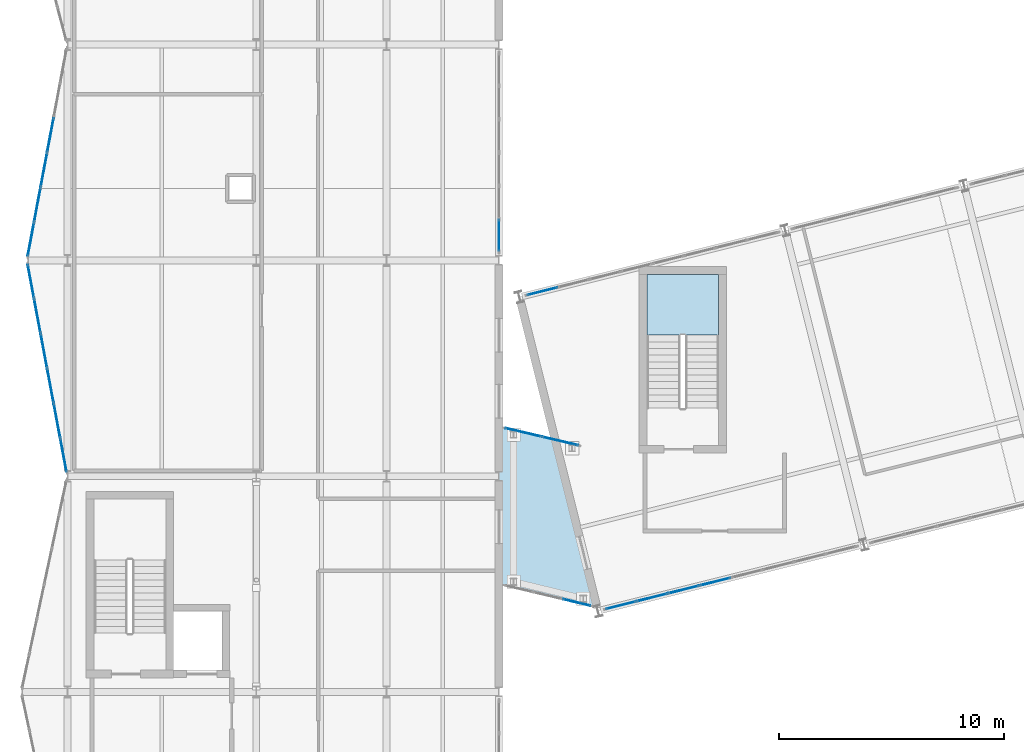
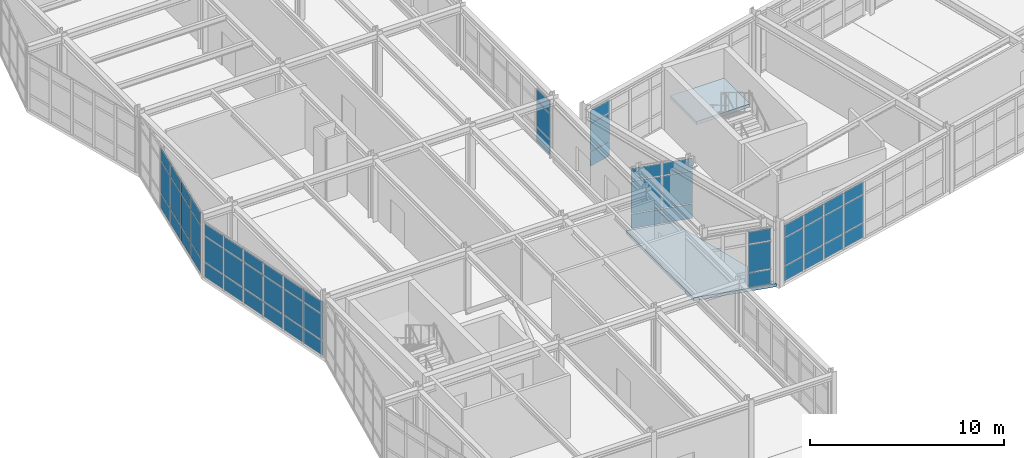
# One storey, part 48 of 88: 57 plates, 2 slabs, 8 elements without a shape of their own.
"""IFC4 building model written with IfcOpenShell, lengths in metres."""

from ifc_helpers import new_model, si_unit, direction, frame, origin, origin_2d, place, context, subcontext, project, spatial, polyline, rectangle, outline, extrude, material, layer, layer_set, type_object, element, aggregate, save


model = new_model("IFC4")

# Units and contexts
model_context = context("Model", 3, precision=1e-05, world=origin(), true_north=direction((0.0, 1.0)))
body_context = subcontext(model_context, "Body", "Model", "MODEL_VIEW")
ifc_project = project(units=[si_unit("LENGTHUNIT", "METRE"), si_unit("AREAUNIT", "SQUARE_METRE"), si_unit("VOLUMEUNIT", "CUBIC_METRE"), si_unit("PLANEANGLEUNIT", "RADIAN"), si_unit("MASSUNIT", "GRAM", prefix="KILO")], contexts=[model_context])

# Site, building, storey
site_placement = place(None, origin())
site = spatial("IfcSite", under=ifc_project, at=site_placement, CompositionType="ELEMENT")
building_placement = place(site_placement, origin())
building = spatial("IfcBuilding", under=site, at=building_placement, Name="Nordkorset Police Headquarters", CompositionType="ELEMENT")
storey_placement = place(building_placement, frame((0.0, 0.0, 9.449951171875)))
storey = spatial("IfcBuildingStorey", under=building, at=storey_placement, Name="L02", CompositionType="ELEMENT", Elevation=9.449951171875)

# Curtain wall, plates
ifc_material_1 = material(Name="Aluminium alloy AW-6060", Category="aluminium")
ifc_layer_1 = layer(ifc_material_1, 0.179931640625, Name="Aluminium alloy AW-6060")
ifc_layer_set_1 = layer_set([ifc_layer_1], Name="Aluminium alloy AW-6060")
curtain_wall_type_1 = type_object("IfcCurtainWallType", Name="CW_Unit_949x351", PredefinedType="USERDEFINED", material=ifc_layer_set_1)
curtain_wall_1_placement = place(storey_placement, origin())
curtain_wall_1 = element("IfcCurtainWall", 1, at=curtain_wall_1_placement, inside=storey, type_object=curtain_wall_type_1, Name="Unitised Curtain Wall L02 V3W-2", ObjectType="UNITISED CURTAIN WALL", PredefinedType="USERDEFINED")
ifc_material_2 = material(Name="Low-iron triple glazing", Category="glass")
ifc_layer_2 = layer(ifc_material_2, 0.035888671875, Name="Low-iron triple glazing")
ifc_layer_set_2 = layer_set([ifc_layer_2], Name="Low-iron triple glazing")
plate_type = type_object("IfcPlateType", Name="CW_Panel_TripleGlazing_36", PredefinedType="CURTAIN_PANEL", material=ifc_layer_set_2)
plate_1_placement = place(storey_placement, frame((-0.174560546875, 48.9306640625, 0.06494140625), z_axis=(0.0, 0.0, 1.0), x_axis=(-0.184288535048, 0.982872186935, 0.0)))
plate_1 = element("IfcPlate", 2, at=plate_1_placement, type_object=plate_type, Name="CW-32 panel 1.1", PredefinedType="CURTAIN_PANEL", context=body_context, shape_type="SweptSolid", body=[
    extrude(rectangle(XDim=1.483642578125, YDim=0.035888671875, at=origin_2d()), origin(), (0.0, 0.0, 1.0), 0.902587890625),
])
plate_2_placement = place(storey_placement, frame((-0.174560546875, 48.9306640625, 1.03271484375), z_axis=(0.0, 0.0, 1.0), x_axis=(-0.184288535048, 0.982872186935, 0.0)))
plate_2 = element("IfcPlate", 3, at=plate_2_placement, type_object=plate_type, Name="CW-32 panel 1.2", PredefinedType="CURTAIN_PANEL", context=body_context, shape_type="SweptSolid", body=[
    extrude(rectangle(XDim=1.483642578125, YDim=0.035888671875, at=origin_2d()), origin(), (0.0, 0.0, 1.0), 1.594970703125),
])
plate_3_placement = place(storey_placement, frame((-0.174560546875, 48.9306640625, 2.692626953125), z_axis=(0.0, 0.0, 1.0), x_axis=(-0.184288535048, 0.982872186935, 0.0)))
plate_3 = element("IfcPlate", 4, at=plate_3_placement, type_object=plate_type, Name="CW-32 panel 1.3", PredefinedType="CURTAIN_PANEL", context=body_context, shape_type="SweptSolid", body=[
    extrude(rectangle(XDim=1.483642578125, YDim=0.035888671875, at=origin_2d()), origin(), (0.0, 0.0, 1.0), 0.75244140625),
])
plate_4_placement = place(storey_placement, frame((-0.462890625, 50.46875, 0.06494140625), z_axis=(0.0, 0.0, 1.0), x_axis=(-0.184288535048, 0.982872186935, 0.0)))
plate_4 = element("IfcPlate", 5, at=plate_4_placement, type_object=plate_type, Name="CW-32 panel 2.1", PredefinedType="CURTAIN_PANEL", context=body_context, shape_type="SweptSolid", body=[
    extrude(rectangle(XDim=1.51611328125, YDim=0.035888671875, at=origin_2d()), origin(), (0.0, 0.0, 1.0), 0.902587890625),
])
plate_5_placement = place(storey_placement, frame((-0.462890625, 50.46875, 1.03271484375), z_axis=(0.0, 0.0, 1.0), x_axis=(-0.184288535048, 0.982872186935, 0.0)))
plate_5 = element("IfcPlate", 6, at=plate_5_placement, type_object=plate_type, Name="CW-32 panel 2.2", PredefinedType="CURTAIN_PANEL", context=body_context, shape_type="SweptSolid", body=[
    extrude(rectangle(XDim=1.51611328125, YDim=0.035888671875, at=origin_2d()), origin(), (0.0, 0.0, 1.0), 1.594970703125),
])
plate_6_placement = place(storey_placement, frame((-0.462890625, 50.46875, 2.692626953125), z_axis=(0.0, 0.0, 1.0), x_axis=(-0.184288535048, 0.982872186935, 0.0)))
plate_6 = element("IfcPlate", 7, at=plate_6_placement, type_object=plate_type, Name="CW-32 panel 2.3", PredefinedType="CURTAIN_PANEL", context=body_context, shape_type="SweptSolid", body=[
    extrude(rectangle(XDim=1.51611328125, YDim=0.035888671875, at=origin_2d()), origin(), (0.0, 0.0, 1.0), 0.75244140625),
])
plate_7_placement = place(storey_placement, frame((-0.75439453125, 52.02294921875, 0.06494140625), z_axis=(0.0, 0.0, 1.0), x_axis=(-0.184288535048, 0.982872186935, 0.0)))
plate_7 = element("IfcPlate", 8, at=plate_7_placement, type_object=plate_type, Name="CW-32 panel 3.1", PredefinedType="CURTAIN_PANEL", context=body_context, shape_type="SweptSolid", body=[
    extrude(rectangle(XDim=1.51611328125, YDim=0.035888671875, at=origin_2d()), origin(), (0.0, 0.0, 1.0), 0.902587890625),
])
plate_8_placement = place(storey_placement, frame((-0.75439453125, 52.02294921875, 1.03271484375), z_axis=(0.0, 0.0, 1.0), x_axis=(-0.184288535048, 0.982872186935, 0.0)))
plate_8 = element("IfcPlate", 9, at=plate_8_placement, type_object=plate_type, Name="CW-32 panel 3.2", PredefinedType="CURTAIN_PANEL", context=body_context, shape_type="SweptSolid", body=[
    extrude(rectangle(XDim=1.51611328125, YDim=0.035888671875, at=origin_2d()), origin(), (0.0, 0.0, 1.0), 1.594970703125),
])
plate_9_placement = place(storey_placement, frame((-0.75439453125, 52.02294921875, 2.692626953125), z_axis=(0.0, 0.0, 1.0), x_axis=(-0.184288535048, 0.982872186935, 0.0)))
plate_9 = element("IfcPlate", 10, at=plate_9_placement, type_object=plate_type, Name="CW-32 panel 3.3", PredefinedType="CURTAIN_PANEL", context=body_context, shape_type="SweptSolid", body=[
    extrude(rectangle(XDim=1.51611328125, YDim=0.035888671875, at=origin_2d()), origin(), (0.0, 0.0, 1.0), 0.75244140625),
])
plate_10_placement = place(storey_placement, frame((-1.045654296875, 53.5771484375, 0.06494140625), z_axis=(0.0, 0.0, 1.0), x_axis=(-0.184288535048, 0.982872186935, 0.0)))
plate_10 = element("IfcPlate", 11, at=plate_10_placement, type_object=plate_type, Name="CW-32 panel 4.1", PredefinedType="CURTAIN_PANEL", context=body_context, shape_type="SweptSolid", body=[
    extrude(rectangle(XDim=1.51611328125, YDim=0.035888671875, at=origin_2d()), origin(), (0.0, 0.0, 1.0), 0.902587890625),
])
plate_11_placement = place(storey_placement, frame((-1.045654296875, 53.5771484375, 1.03271484375), z_axis=(0.0, 0.0, 1.0), x_axis=(-0.184288535048, 0.982872186935, 0.0)))
plate_11 = element("IfcPlate", 12, at=plate_11_placement, type_object=plate_type, Name="CW-32 panel 4.2", PredefinedType="CURTAIN_PANEL", context=body_context, shape_type="SweptSolid", body=[
    extrude(rectangle(XDim=1.51611328125, YDim=0.035888671875, at=origin_2d()), origin(), (0.0, 0.0, 1.0), 1.594970703125),
])
plate_12_placement = place(storey_placement, frame((-1.045654296875, 53.5771484375, 2.692626953125), z_axis=(0.0, 0.0, 1.0), x_axis=(-0.184288535048, 0.982872186935, 0.0)))
plate_12 = element("IfcPlate", 13, at=plate_12_placement, type_object=plate_type, Name="CW-32 panel 4.3", PredefinedType="CURTAIN_PANEL", context=body_context, shape_type="SweptSolid", body=[
    extrude(rectangle(XDim=1.51611328125, YDim=0.035888671875, at=origin_2d()), origin(), (0.0, 0.0, 1.0), 0.75244140625),
])
plate_13_placement = place(storey_placement, frame((-1.337158203125, 55.131103515625, 0.06494140625), z_axis=(0.0, 0.0, 1.0), x_axis=(-0.184288535048, 0.982872186935, 0.0)))
plate_13 = element("IfcPlate", 14, at=plate_13_placement, type_object=plate_type, Name="CW-32 panel 5.1", PredefinedType="CURTAIN_PANEL", context=body_context, shape_type="SweptSolid", body=[
    extrude(rectangle(XDim=1.51611328125, YDim=0.035888671875, at=origin_2d()), origin(), (0.0, 0.0, 1.0), 0.902587890625),
])
plate_14_placement = place(storey_placement, frame((-1.337158203125, 55.131103515625, 1.03271484375), z_axis=(0.0, 0.0, 1.0), x_axis=(-0.184288535048, 0.982872186935, 0.0)))
plate_14 = element("IfcPlate", 15, at=plate_14_placement, type_object=plate_type, Name="CW-32 panel 5.2", PredefinedType="CURTAIN_PANEL", context=body_context, shape_type="SweptSolid", body=[
    extrude(rectangle(XDim=1.51611328125, YDim=0.035888671875, at=origin_2d()), origin(), (0.0, 0.0, 1.0), 1.594970703125),
])
plate_15_placement = place(storey_placement, frame((-1.337158203125, 55.131103515625, 2.692626953125), z_axis=(0.0, 0.0, 1.0), x_axis=(-0.184288535048, 0.982872186935, 0.0)))
plate_15 = element("IfcPlate", 16, at=plate_15_placement, type_object=plate_type, Name="CW-32 panel 5.3", PredefinedType="CURTAIN_PANEL", context=body_context, shape_type="SweptSolid", body=[
    extrude(rectangle(XDim=1.51611328125, YDim=0.035888671875, at=origin_2d()), origin(), (0.0, 0.0, 1.0), 0.75244140625),
])
plate_16_placement = place(storey_placement, frame((-1.62548828125, 56.66943359375, 0.06494140625), z_axis=(0.0, 0.0, 1.0), x_axis=(-0.184288535048, 0.982872186935, 0.0)))
plate_16 = element("IfcPlate", 17, at=plate_16_placement, type_object=plate_type, Name="CW-32 panel 6.1", PredefinedType="CURTAIN_PANEL", context=body_context, shape_type="SweptSolid", body=[
    extrude(rectangle(XDim=1.483642578125, YDim=0.035888671875, at=origin_2d()), origin(), (0.0, 0.0, 1.0), 0.902587890625),
])
plate_17_placement = place(storey_placement, frame((-1.62548828125, 56.66943359375, 1.03271484375), z_axis=(0.0, 0.0, 1.0), x_axis=(-0.184288535048, 0.982872186935, 0.0)))
plate_17 = element("IfcPlate", 18, at=plate_17_placement, type_object=plate_type, Name="CW-32 panel 6.2", PredefinedType="CURTAIN_PANEL", context=body_context, shape_type="SweptSolid", body=[
    extrude(rectangle(XDim=1.483642578125, YDim=0.035888671875, at=origin_2d()), origin(), (0.0, 0.0, 1.0), 1.594970703125),
])
plate_18_placement = place(storey_placement, frame((-1.62548828125, 56.66943359375, 2.692626953125), z_axis=(0.0, 0.0, 1.0), x_axis=(-0.184288535048, 0.982872186935, 0.0)))
plate_18 = element("IfcPlate", 19, at=plate_18_placement, type_object=plate_type, Name="CW-32 panel 6.3", PredefinedType="CURTAIN_PANEL", context=body_context, shape_type="SweptSolid", body=[
    extrude(rectangle(XDim=1.483642578125, YDim=0.035888671875, at=origin_2d()), origin(), (0.0, 0.0, 1.0), 0.75244140625),
])
aggregate(curtain_wall_1, [plate_1, plate_2, plate_3, plate_4, plate_5, plate_6, plate_7, plate_8, plate_9, plate_10, plate_11, plate_12, plate_13, plate_14, plate_15, plate_16, plate_17, plate_18])

ifc_material_3 = material(Name="Aluminium alloy AW-6060", Category="aluminium")
ifc_layer_3 = layer(ifc_material_3, 0.179931640625, Name="Aluminium alloy AW-6060")
ifc_layer_set_3 = layer_set([ifc_layer_3], Name="Aluminium alloy AW-6060")
curtain_wall_type_2 = type_object("IfcCurtainWallType", Name="CW_Unit_949x392", PredefinedType="USERDEFINED", material=ifc_layer_set_3)
curtain_wall_2_placement = place(storey_placement, origin())
curtain_wall_2 = element("IfcCurtainWall", 20, at=curtain_wall_2_placement, inside=storey, type_object=curtain_wall_type_2, Name="Unitised Curtain Wall L02 V3W-3", ObjectType="UNITISED CURTAIN WALL", PredefinedType="USERDEFINED")
plate_19_placement = place(storey_placement, frame((-1.62548828125, 58.530517578125, 0.06494140625), z_axis=(0.0, 0.0, 1.0), x_axis=(0.184288535048, 0.982872186935, 0.0)))
plate_19 = element("IfcPlate", 21, at=plate_19_placement, type_object=plate_type, Name="CW-49 panel 1.1", PredefinedType="CURTAIN_PANEL", context=body_context, shape_type="SweptSolid", body=[
    extrude(rectangle(XDim=1.483642578125, YDim=0.035888671875, at=origin_2d()), origin(), (0.0, 0.0, 1.0), 0.902587890625),
])
plate_20_placement = place(storey_placement, frame((-1.62548828125, 58.530517578125, 1.03271484375), z_axis=(0.0, 0.0, 1.0), x_axis=(0.184288535048, 0.982872186935, 0.0)))
plate_20 = element("IfcPlate", 22, at=plate_20_placement, type_object=plate_type, Name="CW-49 panel 1.2", PredefinedType="CURTAIN_PANEL", context=body_context, shape_type="SweptSolid", body=[
    extrude(rectangle(XDim=1.483642578125, YDim=0.035888671875, at=origin_2d()), origin(), (0.0, 0.0, 1.0), 2.0048828125),
])
plate_21_placement = place(storey_placement, frame((-1.62548828125, 58.530517578125, 3.1025390625), z_axis=(0.0, 0.0, 1.0), x_axis=(0.184288535048, 0.982872186935, 0.0)))
plate_21 = element("IfcPlate", 23, at=plate_21_placement, type_object=plate_type, Name="CW-49 panel 1.3", PredefinedType="CURTAIN_PANEL", context=body_context, shape_type="SweptSolid", body=[
    extrude(rectangle(XDim=1.483642578125, YDim=0.035888671875, at=origin_2d()), origin(), (0.0, 0.0, 1.0), 0.75244140625),
])
plate_22_placement = place(storey_placement, frame((-1.337158203125, 60.06884765625, 0.06494140625), z_axis=(0.0, 0.0, 1.0), x_axis=(0.184288535048, 0.982872186935, 0.0)))
plate_22 = element("IfcPlate", 24, at=plate_22_placement, type_object=plate_type, Name="CW-49 panel 2.1", PredefinedType="CURTAIN_PANEL", context=body_context, shape_type="SweptSolid", body=[
    extrude(rectangle(XDim=1.51611328125, YDim=0.035888671875, at=origin_2d()), origin(), (0.0, 0.0, 1.0), 0.902587890625),
])
plate_23_placement = place(storey_placement, frame((-1.337158203125, 60.06884765625, 1.03271484375), z_axis=(0.0, 0.0, 1.0), x_axis=(0.184288535048, 0.982872186935, 0.0)))
plate_23 = element("IfcPlate", 25, at=plate_23_placement, type_object=plate_type, Name="CW-49 panel 2.2", PredefinedType="CURTAIN_PANEL", context=body_context, shape_type="SweptSolid", body=[
    extrude(rectangle(XDim=1.51611328125, YDim=0.035888671875, at=origin_2d()), origin(), (0.0, 0.0, 1.0), 2.0048828125),
])
plate_24_placement = place(storey_placement, frame((-1.337158203125, 60.06884765625, 3.1025390625), z_axis=(0.0, 0.0, 1.0), x_axis=(0.184288535048, 0.982872186935, 0.0)))
plate_24 = element("IfcPlate", 26, at=plate_24_placement, type_object=plate_type, Name="CW-49 panel 2.3", PredefinedType="CURTAIN_PANEL", context=body_context, shape_type="SweptSolid", body=[
    extrude(rectangle(XDim=1.51611328125, YDim=0.035888671875, at=origin_2d()), origin(), (0.0, 0.0, 1.0), 0.75244140625),
])
plate_25_placement = place(storey_placement, frame((-1.045654296875, 61.623046875, 0.06494140625), z_axis=(0.0, 0.0, 1.0), x_axis=(0.184288535048, 0.982872186935, 0.0)))
plate_25 = element("IfcPlate", 27, at=plate_25_placement, type_object=plate_type, Name="CW-49 panel 3.1", PredefinedType="CURTAIN_PANEL", context=body_context, shape_type="SweptSolid", body=[
    extrude(rectangle(XDim=1.51611328125, YDim=0.035888671875, at=origin_2d()), origin(), (0.0, 0.0, 1.0), 0.902587890625),
])
plate_26_placement = place(storey_placement, frame((-1.045654296875, 61.623046875, 1.03271484375), z_axis=(0.0, 0.0, 1.0), x_axis=(0.184288535048, 0.982872186935, 0.0)))
plate_26 = element("IfcPlate", 28, at=plate_26_placement, type_object=plate_type, Name="CW-49 panel 3.2", PredefinedType="CURTAIN_PANEL", context=body_context, shape_type="SweptSolid", body=[
    extrude(rectangle(XDim=1.51611328125, YDim=0.035888671875, at=origin_2d()), origin(), (0.0, 0.0, 1.0), 2.0048828125),
])
plate_27_placement = place(storey_placement, frame((-1.045654296875, 61.623046875, 3.1025390625), z_axis=(0.0, 0.0, 1.0), x_axis=(0.184288535048, 0.982872186935, 0.0)))
plate_27 = element("IfcPlate", 29, at=plate_27_placement, type_object=plate_type, Name="CW-49 panel 3.3", PredefinedType="CURTAIN_PANEL", context=body_context, shape_type="SweptSolid", body=[
    extrude(rectangle(XDim=1.51611328125, YDim=0.035888671875, at=origin_2d()), origin(), (0.0, 0.0, 1.0), 0.75244140625),
])
plate_28_placement = place(storey_placement, frame((-0.75439453125, 63.177001953125, 0.06494140625), z_axis=(0.0, 0.0, 1.0), x_axis=(0.184288535048, 0.982872186935, 0.0)))
plate_28 = element("IfcPlate", 30, at=plate_28_placement, type_object=plate_type, Name="CW-49 panel 4.1", PredefinedType="CURTAIN_PANEL", context=body_context, shape_type="SweptSolid", body=[
    extrude(rectangle(XDim=1.51611328125, YDim=0.035888671875, at=origin_2d()), origin(), (0.0, 0.0, 1.0), 0.902587890625),
])
plate_29_placement = place(storey_placement, frame((-0.75439453125, 63.177001953125, 1.03271484375), z_axis=(0.0, 0.0, 1.0), x_axis=(0.184288535048, 0.982872186935, 0.0)))
plate_29 = element("IfcPlate", 31, at=plate_29_placement, type_object=plate_type, Name="CW-49 panel 4.2", PredefinedType="CURTAIN_PANEL", context=body_context, shape_type="SweptSolid", body=[
    extrude(rectangle(XDim=1.51611328125, YDim=0.035888671875, at=origin_2d()), origin(), (0.0, 0.0, 1.0), 2.0048828125),
])
plate_30_placement = place(storey_placement, frame((-0.75439453125, 63.177001953125, 3.1025390625), z_axis=(0.0, 0.0, 1.0), x_axis=(0.184288535048, 0.982872186935, 0.0)))
plate_30 = element("IfcPlate", 32, at=plate_30_placement, type_object=plate_type, Name="CW-49 panel 4.3", PredefinedType="CURTAIN_PANEL", context=body_context, shape_type="SweptSolid", body=[
    extrude(rectangle(XDim=1.51611328125, YDim=0.035888671875, at=origin_2d()), origin(), (0.0, 0.0, 1.0), 0.75244140625),
])
aggregate(curtain_wall_2, [plate_19, plate_20, plate_21, plate_22, plate_23, plate_24, plate_25, plate_26, plate_27, plate_28, plate_29, plate_30])

ifc_material_4 = material(Name="Aluminium alloy AW-6060", Category="aluminium")
ifc_layer_4 = layer(ifc_material_4, 0.179931640625, Name="Aluminium alloy AW-6060")
ifc_layer_set_4 = layer_set([ifc_layer_4], Name="Aluminium alloy AW-6060")
curtain_wall_type_3 = type_object("IfcCurtainWallType", Name="CW_Unit_888x351", PredefinedType="USERDEFINED", material=ifc_layer_set_4)
curtain_wall_3_placement = place(storey_placement, origin())
curtain_wall_3 = element("IfcCurtainWall", 33, at=curtain_wall_3_placement, inside=storey, type_object=curtain_wall_type_3, Name="Unitised Curtain Wall L02 V3E-3", ObjectType="UNITISED CURTAIN WALL", PredefinedType="USERDEFINED")
plate_31_placement = place(storey_placement, frame((19.199951171875, 58.71630859375, 0.06494140625), z_axis=(0.0, 0.0, 1.0), x_axis=(0.0, 1.0, 0.0)))
plate_31 = element("IfcPlate", 34, at=plate_31_placement, type_object=plate_type, Name="CW-58 panel 1.1", PredefinedType="CURTAIN_PANEL", context=body_context, shape_type="SweptSolid", body=[
    extrude(rectangle(XDim=1.382568359375, YDim=0.035888671875, at=origin_2d()), origin(), (0.0, 0.0, 1.0), 0.902587890625),
])
plate_32_placement = place(storey_placement, frame((19.199951171875, 58.71630859375, 1.03271484375), z_axis=(0.0, 0.0, 1.0), x_axis=(0.0, 1.0, 0.0)))
plate_32 = element("IfcPlate", 35, at=plate_32_placement, type_object=plate_type, Name="CW-58 panel 1.2", PredefinedType="CURTAIN_PANEL", context=body_context, shape_type="SweptSolid", body=[
    extrude(rectangle(XDim=1.382568359375, YDim=0.035888671875, at=origin_2d()), origin(), (0.0, 0.0, 1.0), 1.594970703125),
])
plate_33_placement = place(storey_placement, frame((19.199951171875, 58.71630859375, 2.692626953125), z_axis=(0.0, 0.0, 1.0), x_axis=(0.0, 1.0, 0.0)))
plate_33 = element("IfcPlate", 36, at=plate_33_placement, type_object=plate_type, Name="CW-58 panel 1.3", PredefinedType="CURTAIN_PANEL", context=body_context, shape_type="SweptSolid", body=[
    extrude(rectangle(XDim=1.382568359375, YDim=0.035888671875, at=origin_2d()), origin(), (0.0, 0.0, 1.0), 0.75244140625),
])
aggregate(curtain_wall_3, [plate_31, plate_32, plate_33])

ifc_material_5 = material(Name="Aluminium alloy AW-6060", Category="aluminium")
ifc_layer_5 = layer(ifc_material_5, 0.179931640625, Name="Aluminium alloy AW-6060")
ifc_layer_set_5 = layer_set([ifc_layer_5], Name="Aluminium alloy AW-6060")
curtain_wall_type_4 = type_object("IfcCurtainWallType", Name="CW_Unit_1156x364", PredefinedType="USERDEFINED", material=ifc_layer_set_5)
curtain_wall_4_placement = place(storey_placement, origin())
curtain_wall_4 = element("IfcCurtainWall", 37, at=curtain_wall_4_placement, inside=storey, type_object=curtain_wall_type_4, Name="Unitised Curtain Wall L02 V4S-0", ObjectType="UNITISED CURTAIN WALL", PredefinedType="USERDEFINED")
plate_34_placement = place(storey_placement, frame((24.627197265625, 42.2568359375, 0.06494140625), z_axis=(0.0, 0.0, 1.0), x_axis=(0.970142500145, 0.242535625038, 0.0)))
plate_34 = element("IfcPlate", 38, at=plate_34_placement, type_object=plate_type, Name="CW-103 panel 1.1", PredefinedType="CURTAIN_PANEL", context=body_context, shape_type="SweptSolid", body=[
    extrude(rectangle(XDim=1.347412109375, YDim=0.035888671875, at=origin_2d()), origin(), (0.0, 0.0, 1.0), 0.902587890625),
])
plate_35_placement = place(storey_placement, frame((24.627197265625, 42.2568359375, 1.032470703125), z_axis=(0.0, 0.0, 1.0), x_axis=(0.970142500145, 0.242535625038, 0.0)))
plate_35 = element("IfcPlate", 39, at=plate_35_placement, type_object=plate_type, Name="CW-103 panel 1.2", PredefinedType="CURTAIN_PANEL", context=body_context, shape_type="SweptSolid", body=[
    extrude(rectangle(XDim=1.347412109375, YDim=0.035888671875, at=origin_2d()), origin(), (0.0, 0.0, 1.0), 1.72509765625),
])
plate_36_placement = place(storey_placement, frame((24.627197265625, 42.2568359375, 2.822509765625), z_axis=(0.0, 0.0, 1.0), x_axis=(0.970142500145, 0.242535625038, 0.0)))
plate_36 = element("IfcPlate", 40, at=plate_36_placement, type_object=plate_type, Name="CW-103 panel 1.3", PredefinedType="CURTAIN_PANEL", context=body_context, shape_type="SweptSolid", body=[
    extrude(rectangle(XDim=1.347412109375, YDim=0.035888671875, at=origin_2d()), origin(), (0.0, 0.0, 1.0), 0.75244140625),
])
plate_37_placement = place(storey_placement, frame((26.01318359375, 42.603271484375, 0.06494140625), z_axis=(0.0, 0.0, 1.0), x_axis=(0.970142500145, 0.242535625038, 0.0)))
plate_37 = element("IfcPlate", 41, at=plate_37_placement, type_object=plate_type, Name="CW-103 panel 2.1", PredefinedType="CURTAIN_PANEL", context=body_context, shape_type="SweptSolid", body=[
    extrude(rectangle(XDim=1.3798828125, YDim=0.035888671875, at=origin_2d()), origin(), (0.0, 0.0, 1.0), 0.902587890625),
])
plate_38_placement = place(storey_placement, frame((26.01318359375, 42.603271484375, 1.032470703125), z_axis=(0.0, 0.0, 1.0), x_axis=(0.970142500145, 0.242535625038, 0.0)))
plate_38 = element("IfcPlate", 42, at=plate_38_placement, type_object=plate_type, Name="CW-103 panel 2.2", PredefinedType="CURTAIN_PANEL", context=body_context, shape_type="SweptSolid", body=[
    extrude(rectangle(XDim=1.3798828125, YDim=0.035888671875, at=origin_2d()), origin(), (0.0, 0.0, 1.0), 1.72509765625),
])
plate_39_placement = place(storey_placement, frame((26.01318359375, 42.603271484375, 2.822509765625), z_axis=(0.0, 0.0, 1.0), x_axis=(0.970142500145, 0.242535625038, 0.0)))
plate_39 = element("IfcPlate", 43, at=plate_39_placement, type_object=plate_type, Name="CW-103 panel 2.3", PredefinedType="CURTAIN_PANEL", context=body_context, shape_type="SweptSolid", body=[
    extrude(rectangle(XDim=1.3798828125, YDim=0.035888671875, at=origin_2d()), origin(), (0.0, 0.0, 1.0), 0.75244140625),
])
plate_40_placement = place(storey_placement, frame((27.4150390625, 42.953857421875, 0.06494140625), z_axis=(0.0, 0.0, 1.0), x_axis=(0.970142500145, 0.242535625038, 0.0)))
plate_40 = element("IfcPlate", 44, at=plate_40_placement, type_object=plate_type, Name="CW-103 panel 3.1", PredefinedType="CURTAIN_PANEL", context=body_context, shape_type="SweptSolid", body=[
    extrude(rectangle(XDim=1.3798828125, YDim=0.035888671875, at=origin_2d()), origin(), (0.0, 0.0, 1.0), 0.902587890625),
])
plate_41_placement = place(storey_placement, frame((27.4150390625, 42.953857421875, 1.032470703125), z_axis=(0.0, 0.0, 1.0), x_axis=(0.970142500145, 0.242535625038, 0.0)))
plate_41 = element("IfcPlate", 45, at=plate_41_placement, type_object=plate_type, Name="CW-103 panel 3.2", PredefinedType="CURTAIN_PANEL", context=body_context, shape_type="SweptSolid", body=[
    extrude(rectangle(XDim=1.3798828125, YDim=0.035888671875, at=origin_2d()), origin(), (0.0, 0.0, 1.0), 1.72509765625),
])
plate_42_placement = place(storey_placement, frame((27.4150390625, 42.953857421875, 2.822509765625), z_axis=(0.0, 0.0, 1.0), x_axis=(0.970142500145, 0.242535625038, 0.0)))
plate_42 = element("IfcPlate", 46, at=plate_42_placement, type_object=plate_type, Name="CW-103 panel 3.3", PredefinedType="CURTAIN_PANEL", context=body_context, shape_type="SweptSolid", body=[
    extrude(rectangle(XDim=1.3798828125, YDim=0.035888671875, at=origin_2d()), origin(), (0.0, 0.0, 1.0), 0.75244140625),
])
plate_43_placement = place(storey_placement, frame((28.81689453125, 43.30419921875, 0.06494140625), z_axis=(0.0, 0.0, 1.0), x_axis=(0.970142500145, 0.242535625038, 0.0)))
plate_43 = element("IfcPlate", 47, at=plate_43_placement, type_object=plate_type, Name="CW-103 panel 4.1", PredefinedType="CURTAIN_PANEL", context=body_context, shape_type="SweptSolid", body=[
    extrude(rectangle(XDim=1.3798828125, YDim=0.035888671875, at=origin_2d()), origin(), (0.0, 0.0, 1.0), 0.902587890625),
])
plate_44_placement = place(storey_placement, frame((28.81689453125, 43.30419921875, 1.032470703125), z_axis=(0.0, 0.0, 1.0), x_axis=(0.970142500145, 0.242535625038, 0.0)))
plate_44 = element("IfcPlate", 48, at=plate_44_placement, type_object=plate_type, Name="CW-103 panel 4.2", PredefinedType="CURTAIN_PANEL", context=body_context, shape_type="SweptSolid", body=[
    extrude(rectangle(XDim=1.3798828125, YDim=0.035888671875, at=origin_2d()), origin(), (0.0, 0.0, 1.0), 1.72509765625),
])
plate_45_placement = place(storey_placement, frame((28.81689453125, 43.30419921875, 2.822509765625), z_axis=(0.0, 0.0, 1.0), x_axis=(0.970142500145, 0.242535625038, 0.0)))
plate_45 = element("IfcPlate", 49, at=plate_45_placement, type_object=plate_type, Name="CW-103 panel 4.3", PredefinedType="CURTAIN_PANEL", context=body_context, shape_type="SweptSolid", body=[
    extrude(rectangle(XDim=1.3798828125, YDim=0.035888671875, at=origin_2d()), origin(), (0.0, 0.0, 1.0), 0.75244140625),
])
aggregate(curtain_wall_4, [plate_34, plate_35, plate_36, plate_37, plate_38, plate_39, plate_40, plate_41, plate_42, plate_43, plate_44, plate_45])

curtain_wall_5_placement = place(storey_placement, origin())
curtain_wall_5 = element("IfcCurtainWall", 50, at=curtain_wall_5_placement, inside=storey, type_object=curtain_wall_type_4, Name="Unitised Curtain Wall L02 V4N-0", ObjectType="UNITISED CURTAIN WALL", PredefinedType="USERDEFINED")
plate_46_placement = place(storey_placement, frame((21.134521484375, 56.226806640625, 0.06494140625), z_axis=(0.0, 0.0, 1.0), x_axis=(0.970142347489, 0.242536235663, 0.0)))
plate_46 = element("IfcPlate", 51, at=plate_46_placement, type_object=plate_type, Name="CW-103 panel 1.1", PredefinedType="CURTAIN_PANEL", context=body_context, shape_type="SweptSolid", body=[
    extrude(rectangle(XDim=1.347412109375, YDim=0.035888671875, at=origin_2d()), origin(), (0.0, 0.0, 1.0), 0.902587890625),
])
plate_47_placement = place(storey_placement, frame((21.134521484375, 56.226806640625, 1.032470703125), z_axis=(0.0, 0.0, 1.0), x_axis=(0.970142347489, 0.242536235663, 0.0)))
plate_47 = element("IfcPlate", 52, at=plate_47_placement, type_object=plate_type, Name="CW-103 panel 1.2", PredefinedType="CURTAIN_PANEL", context=body_context, shape_type="SweptSolid", body=[
    extrude(rectangle(XDim=1.347412109375, YDim=0.035888671875, at=origin_2d()), origin(), (0.0, 0.0, 1.0), 1.72509765625),
])
plate_48_placement = place(storey_placement, frame((21.134521484375, 56.226806640625, 2.822509765625), z_axis=(0.0, 0.0, 1.0), x_axis=(0.970142347489, 0.242536235663, 0.0)))
plate_48 = element("IfcPlate", 53, at=plate_48_placement, type_object=plate_type, Name="CW-103 panel 1.3", PredefinedType="CURTAIN_PANEL", context=body_context, shape_type="SweptSolid", body=[
    extrude(rectangle(XDim=1.347412109375, YDim=0.035888671875, at=origin_2d()), origin(), (0.0, 0.0, 1.0), 0.75244140625),
])
aggregate(curtain_wall_5, [plate_46, plate_47, plate_48])

ifc_material_6 = material(Name="Aluminium alloy AW-6060", Category="aluminium")
ifc_layer_6 = layer(ifc_material_6, 0.179931640625, Name="Aluminium alloy AW-6060")
ifc_layer_set_6 = layer_set([ifc_layer_6], Name="Aluminium alloy AW-6060")
curtain_wall_type_5 = type_object("IfcCurtainWallType", Name="CW_Unit_401x364", PredefinedType="USERDEFINED", material=ifc_layer_set_6)
curtain_wall_6_placement = place(storey_placement, origin())
curtain_wall_6 = element("IfcCurtainWall", 54, at=curtain_wall_6_placement, inside=storey, type_object=curtain_wall_type_5, Name="Unitised Curtain Wall L02 BRGW-S", ObjectType="UNITISED CURTAIN WALL", PredefinedType="USERDEFINED")
plate_49_placement = place(storey_placement, frame((22.6591796875, 42.3798828125, 0.06494140625), z_axis=(0.0, 0.0, 1.0), x_axis=(0.972904739966, -0.231206329825, 0.0)))
plate_49 = element("IfcPlate", 55, at=plate_49_placement, type_object=plate_type, Name="CW-14 panel 3.1", PredefinedType="CURTAIN_PANEL", context=body_context, shape_type="SweptSolid", body=[
    extrude(rectangle(XDim=1.238525390625, YDim=0.035888671875, at=origin_2d()), origin(), (0.0, 0.0, 1.0), 0.902587890625),
])
plate_50_placement = place(storey_placement, frame((22.6591796875, 42.3798828125, 1.03271484375), z_axis=(0.0, 0.0, 1.0), x_axis=(0.972904739966, -0.231206329825, 0.0)))
plate_50 = element("IfcPlate", 56, at=plate_50_placement, type_object=plate_type, Name="CW-14 panel 3.2", PredefinedType="CURTAIN_PANEL", context=body_context, shape_type="SweptSolid", body=[
    extrude(rectangle(XDim=1.238525390625, YDim=0.035888671875, at=origin_2d()), origin(), (0.0, 0.0, 1.0), 1.719970703125),
])
plate_51_placement = place(storey_placement, frame((22.6591796875, 42.3798828125, 2.817626953125), z_axis=(0.0, 0.0, 1.0), x_axis=(0.972904739966, -0.231206329825, 0.0)))
plate_51 = element("IfcPlate", 57, at=plate_51_placement, type_object=plate_type, Name="CW-14 panel 3.3", PredefinedType="CURTAIN_PANEL", context=body_context, shape_type="SweptSolid", body=[
    extrude(rectangle(XDim=1.238525390625, YDim=0.035888671875, at=origin_2d()), origin(), (0.0, 0.0, 1.0), 0.75244140625),
])
aggregate(curtain_wall_6, [plate_49, plate_50, plate_51])

ifc_material_7 = material(Name="Aluminium alloy AW-6060", Category="aluminium")
ifc_layer_7 = layer(ifc_material_7, 0.179931640625, Name="Aluminium alloy AW-6060")
ifc_layer_set_7 = layer_set([ifc_layer_7], Name="Aluminium alloy AW-6060")
curtain_wall_type_6 = type_object("IfcCurtainWallType", Name="CW_Unit_344x392", PredefinedType="USERDEFINED", material=ifc_layer_set_7)
curtain_wall_7_placement = place(storey_placement, origin())
curtain_wall_7 = element("IfcCurtainWall", 58, at=curtain_wall_7_placement, inside=storey, type_object=curtain_wall_type_6, Name="Unitised Curtain Wall L02 BRGW-N", ObjectType="UNITISED CURTAIN WALL", PredefinedType="USERDEFINED")
plate_52_placement = place(storey_placement, frame((20.2783203125, 49.9482421875, 0.06494140625), z_axis=(0.0, 0.0, 1.0), x_axis=(0.973451612554, -0.228892896387, 0.0)))
plate_52 = element("IfcPlate", 59, at=plate_52_placement, type_object=plate_type, Name="CW-51 panel 1.1", PredefinedType="CURTAIN_PANEL", context=body_context, shape_type="SweptSolid", body=[
    extrude(rectangle(XDim=1.623046875, YDim=0.035888671875, at=origin_2d()), origin(), (0.0, 0.0, 1.0), 0.902587890625),
])
plate_53_placement = place(storey_placement, frame((20.2783203125, 49.9482421875, 1.03271484375), z_axis=(0.0, 0.0, 1.0), x_axis=(0.973451612554, -0.228892896387, 0.0)))
plate_53 = element("IfcPlate", 60, at=plate_53_placement, type_object=plate_type, Name="CW-51 panel 1.2", PredefinedType="CURTAIN_PANEL", context=body_context, shape_type="SweptSolid", body=[
    extrude(rectangle(XDim=1.623046875, YDim=0.035888671875, at=origin_2d()), origin(), (0.0, 0.0, 1.0), 2.0048828125),
])
plate_54_placement = place(storey_placement, frame((20.2783203125, 49.9482421875, 3.1025390625), z_axis=(0.0, 0.0, 1.0), x_axis=(0.973451612554, -0.228892896387, 0.0)))
plate_54 = element("IfcPlate", 61, at=plate_54_placement, type_object=plate_type, Name="CW-51 panel 1.3", PredefinedType="CURTAIN_PANEL", context=body_context, shape_type="SweptSolid", body=[
    extrude(rectangle(XDim=1.623046875, YDim=0.035888671875, at=origin_2d()), origin(), (0.0, 0.0, 1.0), 0.75244140625),
])
plate_55_placement = place(storey_placement, frame((21.921630859375, 49.561767578125, 0.06494140625), z_axis=(0.0, 0.0, 1.0), x_axis=(0.973451612554, -0.228892896387, 0.0)))
plate_55 = element("IfcPlate", 62, at=plate_55_placement, type_object=plate_type, Name="CW-51 panel 2.1", PredefinedType="CURTAIN_PANEL", context=body_context, shape_type="SweptSolid", body=[
    extrude(rectangle(XDim=1.623046875, YDim=0.035888671875, at=origin_2d()), origin(), (0.0, 0.0, 1.0), 0.902587890625),
])
plate_56_placement = place(storey_placement, frame((21.921630859375, 49.561767578125, 1.03271484375), z_axis=(0.0, 0.0, 1.0), x_axis=(0.973451612554, -0.228892896387, 0.0)))
plate_56 = element("IfcPlate", 63, at=plate_56_placement, type_object=plate_type, Name="CW-51 panel 2.2", PredefinedType="CURTAIN_PANEL", context=body_context, shape_type="SweptSolid", body=[
    extrude(rectangle(XDim=1.623046875, YDim=0.035888671875, at=origin_2d()), origin(), (0.0, 0.0, 1.0), 2.0048828125),
])
plate_57_placement = place(storey_placement, frame((21.921630859375, 49.561767578125, 3.1025390625), z_axis=(0.0, 0.0, 1.0), x_axis=(0.973451612554, -0.228892896387, 0.0)))
plate_57 = element("IfcPlate", 64, at=plate_57_placement, type_object=plate_type, Name="CW-51 panel 2.3", PredefinedType="CURTAIN_PANEL", context=body_context, shape_type="SweptSolid", body=[
    extrude(rectangle(XDim=1.623046875, YDim=0.035888671875, at=origin_2d()), origin(), (0.0, 0.0, 1.0), 0.75244140625),
])
aggregate(curtain_wall_7, [plate_52, plate_53, plate_54, plate_55, plate_56, plate_57])

# Slab
ifc_material_8 = material(Name="Concrete C35/45", Category="concrete")
ifc_layer_8 = layer(ifc_material_8, 0.195068359375, Name="Concrete C35/45")
ifc_layer_set_8 = layer_set([ifc_layer_8], Name="Concrete C35/45")
slab_type_1 = type_object("IfcSlabType", Name="Slab_Bridge_195", PredefinedType="FLOOR", material=ifc_layer_set_8)
slab_1_placement = place(storey_placement, frame((0.0, 0.0, -0.195068359375)))
element("IfcSlab", 65, at=slab_1_placement, inside=storey, type_object=slab_type_1, Name="West Courtyard Glazed Link Bridge Floor Slab L02", PredefinedType="FLOOR", context=body_context, shape_type="SweptSolid", body=[
    extrude(outline(polyline([(19.205078125, 43.199951171875), (19.205078125, 50.199951171875), (21.69580078125, 49.616943359375), (23.5576171875, 42.169189453125), (19.205078125, 43.199951171875)])), origin(), (0.0, 0.0, 1.0), 0.195068359375),
])

# Stair, slab
ifc_material_9 = material(Name="Concrete C35/45", Category="concrete")
stair_type = type_object("IfcStairType", Name="ST-42", PredefinedType="HALF_TURN_STAIR", material=ifc_material_9)
stair_placement = place(storey_placement, origin())
stair = element("IfcStair", 66, at=stair_placement, inside=storey, type_object=stair_type, Name="L02 Protected Escape Stair ST-08", PredefinedType="HALF_TURN_STAIR")
ifc_material_10 = material(Name="Concrete C35/45", Category="concrete")
ifc_layer_9 = layer(ifc_material_10, 0.199951171875, Name="Concrete C35/45")
ifc_layer_set_9 = layer_set([ifc_layer_9], Name="Concrete C35/45")
slab_type_2 = type_object("IfcSlabType", Name="Slab_StairLanding_200", PredefinedType="LANDING", material=ifc_layer_set_9)
slab_2_placement = place(storey_placement, frame((0.0, 0.0, 1.900146484375)))
slab_2 = element("IfcSlab", 67, at=slab_2_placement, type_object=slab_type_2, Name="ST-08 landing 1", PredefinedType="LANDING", context=body_context, shape_type="SweptSolid", body=[
    extrude(outline(polyline([(28.97509765625, 54.27001953125), (28.97509765625, 56.97509765625), (25.77490234375, 56.97509765625), (25.77490234375, 54.27001953125), (28.97509765625, 54.27001953125)])), origin(), (0.0, 0.0, 1.0), 0.199951171875),
])
aggregate(stair, [slab_2])

save(model, "model.ifc")
